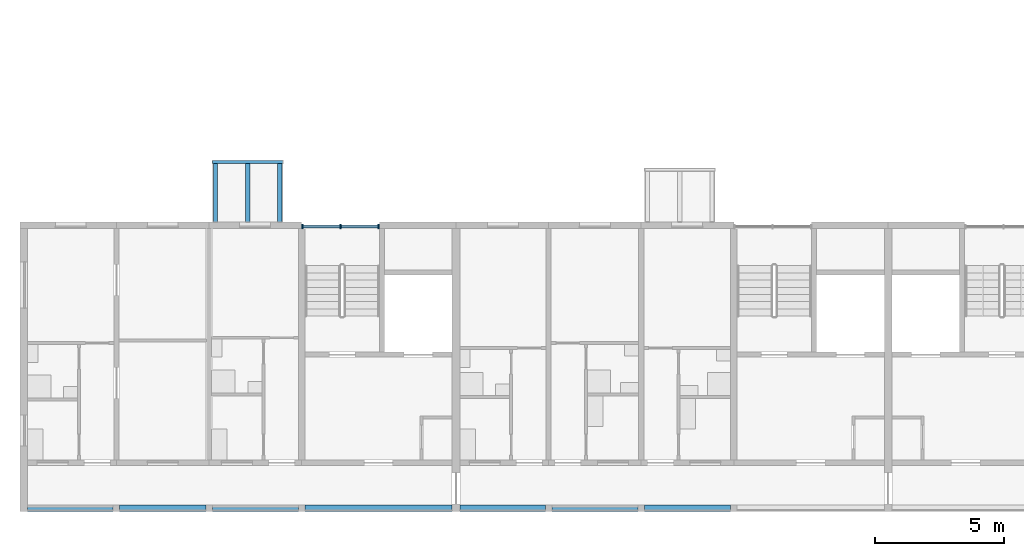
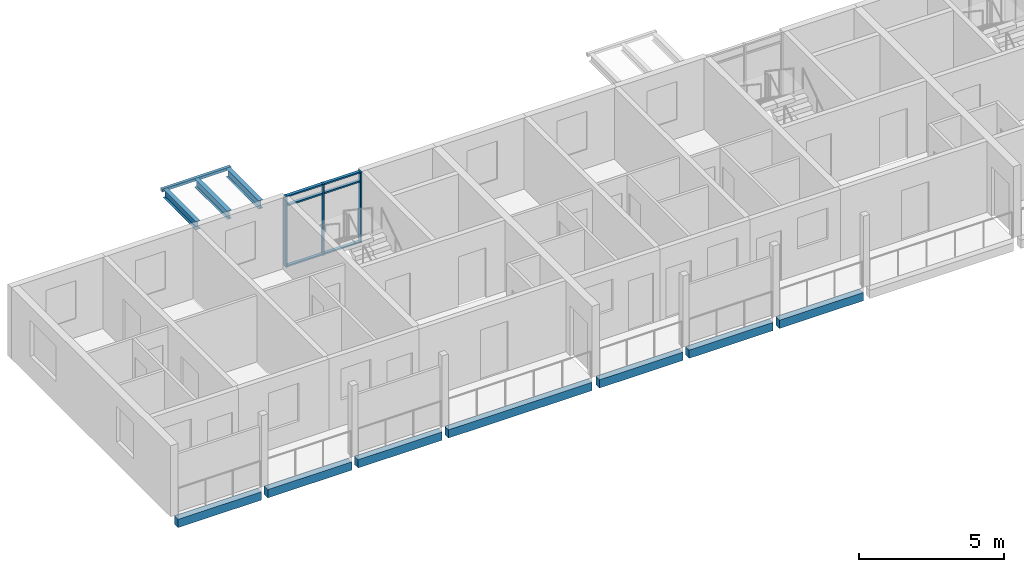
# One storey, part 5 of 93: 11 beams, 9 members, 1 element without a shape of its own.
"""IFC4 building model written with IfcOpenShell, lengths in metres."""

from ifc_helpers import new_model, si_unit, direction, frame, origin, origin_2d, place, context, subcontext, project, spatial, rectangle, hollow_rectangle, i_section, extrude, material, material_profile, profile_set, type_object, element, aggregate, save


model = new_model("IFC4")

# Units and contexts
model_context = context("Model", 3, precision=1e-05, world=origin(), true_north=direction((0.0, 1.0)))
body_context = subcontext(model_context, "Body", "Model", "MODEL_VIEW")
ifc_project = project(units=[si_unit("LENGTHUNIT", "METRE"), si_unit("AREAUNIT", "SQUARE_METRE"), si_unit("VOLUMEUNIT", "CUBIC_METRE"), si_unit("PLANEANGLEUNIT", "RADIAN"), si_unit("MASSUNIT", "GRAM", prefix="KILO")], contexts=[model_context])

# Site, building, storey
site_placement = place(None, origin())
site = spatial("IfcSite", under=ifc_project, at=site_placement, CompositionType="ELEMENT")
building_placement = place(site_placement, origin())
building = spatial("IfcBuilding", under=site, at=building_placement, Name="Ridgestep Commons", CompositionType="ELEMENT")
storey_placement = place(building_placement, frame((0.0, 0.0, 18.0)))
storey = spatial("IfcBuildingStorey", under=building, at=storey_placement, Name="L06", CompositionType="ELEMENT", Elevation=18.0)

# Beams
ifc_material_1 = material(Name="Precast concrete C40/50", Category="concrete")
ifc_material_profile_1 = material_profile(ifc_material_1, rectangle(XDim=0.25, YDim=0.35009765625, at=origin_2d()), Name="PC 250x350")
ifc_profile_set_1 = profile_set([ifc_material_profile_1], Name="Precast concrete C40/50")
beam_type_1 = type_object("IfcBeamType", Name="Loggia edge beam 250 x 350", PredefinedType="SPANDREL", material=ifc_profile_set_1)
beam_1_placement = place(storey_placement, frame((12.14990234375, 11.875, -0.375), z_axis=(1.0, 0.0, 0.0), x_axis=(0.0, 1.0, 0.0)))
element("IfcBeam", 1, at=beam_1_placement, inside=storey, type_object=beam_type_1, Name="Loggia edge beam A1T1 L06", PredefinedType="SPANDREL", context=body_context, shape_type="SweptSolid", body=[
    extrude(rectangle(XDim=0.25, YDim=0.35009765625, at=origin_2d()), origin(), (0.0, 0.0, 1.0), 3.3251953125),
])
beam_2_placement = place(storey_placement, frame((15.72509765625, 11.875, -0.375), z_axis=(1.0, 0.0, 0.0), x_axis=(0.0, 1.0, 0.0)))
element("IfcBeam", 2, at=beam_2_placement, inside=storey, type_object=beam_type_1, Name="Loggia edge beam A1T2 L06", PredefinedType="SPANDREL", context=body_context, shape_type="SweptSolid", body=[
    extrude(rectangle(XDim=0.25, YDim=0.35009765625, at=origin_2d()), origin(), (0.0, 0.0, 1.0), 3.349853515625),
])
beam_3_placement = place(storey_placement, frame((19.324951171875, 11.875, -0.375), z_axis=(1.0, 0.0, 0.0), x_axis=(0.0, 1.0, 0.0)))
element("IfcBeam", 3, at=beam_3_placement, inside=storey, type_object=beam_type_1, Name="Loggia edge beam A1T3 L06", PredefinedType="SPANDREL", context=body_context, shape_type="SweptSolid", body=[
    extrude(rectangle(XDim=0.25, YDim=0.35009765625, at=origin_2d()), origin(), (0.0, 0.0, 1.0), 3.35009765625),
])
beam_4_placement = place(storey_placement, frame((22.925048828125, 11.875, -0.375), z_axis=(1.0, 0.0, 0.0), x_axis=(0.0, 1.0, 0.0)))
element("IfcBeam", 4, at=beam_4_placement, inside=storey, type_object=beam_type_1, Name="Loggia edge beam A1C L06", PredefinedType="SPANDREL", context=body_context, shape_type="SweptSolid", body=[
    extrude(rectangle(XDim=0.25, YDim=0.35009765625, at=origin_2d()), origin(), (0.0, 0.0, 1.0), 5.724853515625),
])
beam_5_placement = place(storey_placement, frame((28.949951171875, 11.875, -0.375), z_axis=(1.0, 0.0, 0.0), x_axis=(0.0, 1.0, 0.0)))
element("IfcBeam", 5, at=beam_5_placement, inside=storey, type_object=beam_type_1, Name="Loggia edge beam A2T1 L06", PredefinedType="SPANDREL", context=body_context, shape_type="SweptSolid", body=[
    extrude(rectangle(XDim=0.25, YDim=0.35009765625, at=origin_2d()), origin(), (0.0, 0.0, 1.0), 3.324951171875),
])
for number, where, z_axis, x_axis, name in (
    (6, (32.52490234375, 11.875, -0.375), (1.0, 0.0, 0.0), (0.0, 1.0, 0.0), "Loggia edge beam A2T2 L06"),
    (7, (36.125, 11.875, -0.375), (1.0, 0.0, 0.0), (0.0, 1.0, 0.0), "Loggia edge beam A2T3 L06"),
):
    element("IfcBeam", number, at=place(storey_placement, frame(where, z_axis=z_axis, x_axis=x_axis)), inside=storey, type_object=beam_type_1, Name=name, PredefinedType="SPANDREL", context=body_context, shape_type="SweptSolid", body=[
        extrude(rectangle(XDim=0.25, YDim=0.35009765625, at=origin_2d()), origin(), (0.0, 0.0, 1.0), 3.35009765625),
    ])

# Curtain wall, members
ifc_material_2 = material(Name="Aluminium 6063-T6 and glass", Category="aluminium")
curtain_wall_type = type_object("IfcCurtainWallType", Name="Curtain wall stair strip", PredefinedType="NOTDEFINED", material=ifc_material_2)
curtain_wall_placement = place(storey_placement, origin())
curtain_wall = element("IfcCurtainWall", 8, at=curtain_wall_placement, inside=storey, type_object=curtain_wall_type, Name="Curtain wall A1C level 06", PredefinedType="NOTDEFINED")
ifc_material_3 = material(Name="Aluminium 6063-T6", Category="aluminium")
ifc_material_profile_2 = material_profile(ifc_material_3, rectangle(XDim=0.159912109375, YDim=0.06005859375, at=origin_2d()), Name="Mullion 60 x 160")
ifc_profile_set_2 = profile_set([ifc_material_profile_2], Name="Aluminium 6063-T6")
member_type_1 = type_object("IfcMemberType", Name="Mullion 60 x 160", PredefinedType="MULLION", material=ifc_profile_set_2)
member_1_placement = place(storey_placement, frame((22.830078125, 22.830078125, 0.0), z_axis=(0.0, 0.0, 1.0), x_axis=(0.0, 1.0, 0.0)))
member_1 = element("IfcMember", 9, at=member_1_placement, type_object=member_type_1, Name="CW1 mullion 1", PredefinedType="MULLION", context=body_context, shape_type="SweptSolid", body=[
    extrude(rectangle(XDim=0.159912109375, YDim=0.06005859375, at=origin_2d()), origin(), (0.0, 0.0, 1.0), 3.0),
])
member_2_placement = place(storey_placement, frame((24.3125, 22.830078125, 0.0), z_axis=(0.0, 0.0, 1.0), x_axis=(0.0, 1.0, 0.0)))
member_2 = element("IfcMember", 10, at=member_2_placement, type_object=member_type_1, Name="CW1 mullion 2", PredefinedType="MULLION", context=body_context, shape_type="SweptSolid", body=[
    extrude(rectangle(XDim=0.159912109375, YDim=0.06005859375, at=origin_2d()), origin(), (0.0, 0.0, 1.0), 3.0),
])
member_3_placement = place(storey_placement, frame((25.794921875, 22.830078125, 0.0), z_axis=(0.0, 0.0, 1.0), x_axis=(0.0, 1.0, 0.0)))
member_3 = element("IfcMember", 11, at=member_3_placement, type_object=member_type_1, Name="CW1 mullion 3", PredefinedType="MULLION", context=body_context, shape_type="SweptSolid", body=[
    extrude(rectangle(XDim=0.159912109375, YDim=0.06005859375, at=origin_2d()), origin(), (0.0, 0.0, 1.0), 3.0),
])
ifc_material_4 = material(Name="Aluminium 6063-T6", Category="aluminium")
ifc_material_profile_3 = material_profile(ifc_material_4, rectangle(XDim=0.1201171875, YDim=0.06005859375, at=origin_2d()), Name="Transom 60 x 120")
ifc_profile_set_3 = profile_set([ifc_material_profile_3], Name="Aluminium 6063-T6")
member_type_2 = type_object("IfcMemberType", Name="Transom 60 x 120", PredefinedType="USERDEFINED", material=ifc_profile_set_3)
member_4_placement = place(storey_placement, frame((22.860107421875, 22.830078125, 0.030029296875), z_axis=(1.0, 0.0, 0.0), x_axis=(0.0, 1.0, 0.0)))
member_4 = element("IfcMember", 12, at=member_4_placement, type_object=member_type_2, Name="CW1 transom 1.1", ObjectType="TRANSOM", PredefinedType="USERDEFINED", context=body_context, shape_type="SweptSolid", body=[
    extrude(rectangle(XDim=0.1201171875, YDim=0.06005859375, at=origin_2d()), origin(), (0.0, 0.0, 1.0), 1.42236328125),
])
member_5_placement = place(storey_placement, frame((22.860107421875, 22.830078125, 2.590087890625), z_axis=(1.0, 0.0, 0.0), x_axis=(0.0, 1.0, 0.0)))
member_5 = element("IfcMember", 13, at=member_5_placement, type_object=member_type_2, Name="CW1 transom 1.2", ObjectType="TRANSOM", PredefinedType="USERDEFINED", context=body_context, shape_type="SweptSolid", body=[
    extrude(rectangle(XDim=0.1201171875, YDim=0.06005859375, at=origin_2d()), origin(), (0.0, 0.0, 1.0), 1.42236328125),
])
member_6_placement = place(storey_placement, frame((22.860107421875, 22.830078125, 2.969970703125), z_axis=(1.0, 0.0, 0.0), x_axis=(0.0, 1.0, 0.0)))
member_6 = element("IfcMember", 14, at=member_6_placement, type_object=member_type_2, Name="CW1 transom 1.3", ObjectType="TRANSOM", PredefinedType="USERDEFINED", context=body_context, shape_type="SweptSolid", body=[
    extrude(rectangle(XDim=0.1201171875, YDim=0.06005859375, at=origin_2d()), origin(), (0.0, 0.0, 1.0), 1.42236328125),
])
member_7_placement = place(storey_placement, frame((24.342529296875, 22.830078125, 0.030029296875), z_axis=(1.0, 0.0, 0.0), x_axis=(0.0, 1.0, 0.0)))
member_7 = element("IfcMember", 15, at=member_7_placement, type_object=member_type_2, Name="CW1 transom 2.1", ObjectType="TRANSOM", PredefinedType="USERDEFINED", context=body_context, shape_type="SweptSolid", body=[
    extrude(rectangle(XDim=0.1201171875, YDim=0.06005859375, at=origin_2d()), origin(), (0.0, 0.0, 1.0), 1.42236328125),
])
member_8_placement = place(storey_placement, frame((24.342529296875, 22.830078125, 2.590087890625), z_axis=(1.0, 0.0, 0.0), x_axis=(0.0, 1.0, 0.0)))
member_8 = element("IfcMember", 16, at=member_8_placement, type_object=member_type_2, Name="CW1 transom 2.2", ObjectType="TRANSOM", PredefinedType="USERDEFINED", context=body_context, shape_type="SweptSolid", body=[
    extrude(rectangle(XDim=0.1201171875, YDim=0.06005859375, at=origin_2d()), origin(), (0.0, 0.0, 1.0), 1.42236328125),
])
member_9_placement = place(storey_placement, frame((24.342529296875, 22.830078125, 2.969970703125), z_axis=(1.0, 0.0, 0.0), x_axis=(0.0, 1.0, 0.0)))
member_9 = element("IfcMember", 17, at=member_9_placement, type_object=member_type_2, Name="CW1 transom 2.3", ObjectType="TRANSOM", PredefinedType="USERDEFINED", context=body_context, shape_type="SweptSolid", body=[
    extrude(rectangle(XDim=0.1201171875, YDim=0.06005859375, at=origin_2d()), origin(), (0.0, 0.0, 1.0), 1.42236328125),
])
aggregate(curtain_wall, [member_1, member_2, member_3, member_4, member_5, member_6, member_7, member_8, member_9])

# Beams
ifc_material_5 = material(Name="Weathering steel S355J2W", Category="steel")
ifc_material_profile_4 = material_profile(ifc_material_5, i_section(OverallWidth=0.171142578125, OverallDepth=0.351318359375, WebThickness=0.007080078125, FlangeThickness=0.009765625, FilletRadius=0.01025390625, at=origin_2d()), Name="UB 356x171x45")
ifc_profile_set_4 = profile_set([ifc_material_profile_4], Name="Weathering steel S355J2W")
beam_type_2 = type_object("IfcBeamType", Name="Tray arm UB 356x171x45", PredefinedType="BEAM", material=ifc_profile_set_4)
for number, where, z_axis, x_axis, name in (
    (18, (19.449951171875, 23.014892578125, 2.814208984375), (0.0, 1.0, 0.0), (-1.0, 0.0, 0.0), "Tray arm A1T3-07.1"),
    (19, (20.699951171875, 23.014892578125, 2.814208984375), (0.0, 1.0, 0.0), (-1.0, 0.0, 0.0), "Tray arm A1T3-07.2"),
    (20, (21.949951171875, 23.014892578125, 2.814208984375), (0.0, 1.0, 0.0), (-1.0, 0.0, 0.0), "Tray arm A1T3-07.3"),
):
    element("IfcBeam", number, at=place(storey_placement, frame(where, z_axis=z_axis, x_axis=x_axis)), inside=storey, type_object=beam_type_2, Name=name, PredefinedType="BEAM", context=body_context, shape_type="SweptSolid", body=[
        extrude(i_section(OverallWidth=0.171142578125, OverallDepth=0.351318359375, WebThickness=0.007080078125, FlangeThickness=0.009765625, FilletRadius=0.01025390625, at=origin_2d()), origin(), (0.0, 0.0, 1.0), 2.26513671875),
    ])
ifc_material_6 = material(Name="Weathering steel S355J2W", Category="steel")
ifc_material_profile_5 = material_profile(ifc_material_6, hollow_rectangle(XDim=0.1201171875, YDim=0.1201171875, WallThickness=0.00634765625, InnerFilletRadius=0.00634765625, OuterFilletRadius=0.009521484375, at=origin_2d()), Name="SHS 120x120x6.3")
ifc_profile_set_5 = profile_set([ifc_material_profile_5], Name="Weathering steel S355J2W")
beam_type_3 = type_object("IfcBeamType", Name="Tray edge member SHS 120x120x6.3", PredefinedType="BEAM", material=ifc_profile_set_5)
beam_6_placement = place(storey_placement, frame((19.330078125, 25.340087890625, 2.929931640625), z_axis=(1.0, 0.0, 0.0), x_axis=(0.0, 0.0, 1.0)))
element("IfcBeam", 21, at=beam_6_placement, inside=storey, type_object=beam_type_3, Name="Tray edge member A1T3-07", PredefinedType="BEAM", context=body_context, shape_type="SweptSolid", body=[
    extrude(hollow_rectangle(XDim=0.1201171875, YDim=0.1201171875, WallThickness=0.00634765625, InnerFilletRadius=0.00634765625, OuterFilletRadius=0.009521484375, at=origin_2d()), origin(), (0.0, 0.0, 1.0), 2.739990234375),
])

save(model, "model.ifc")
